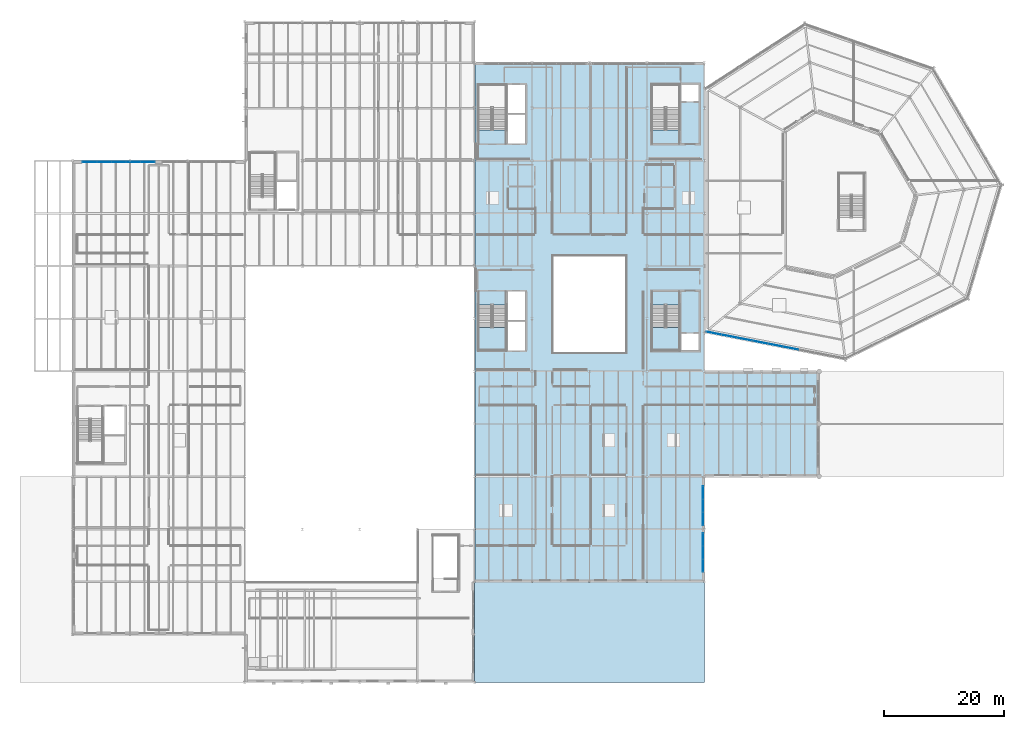
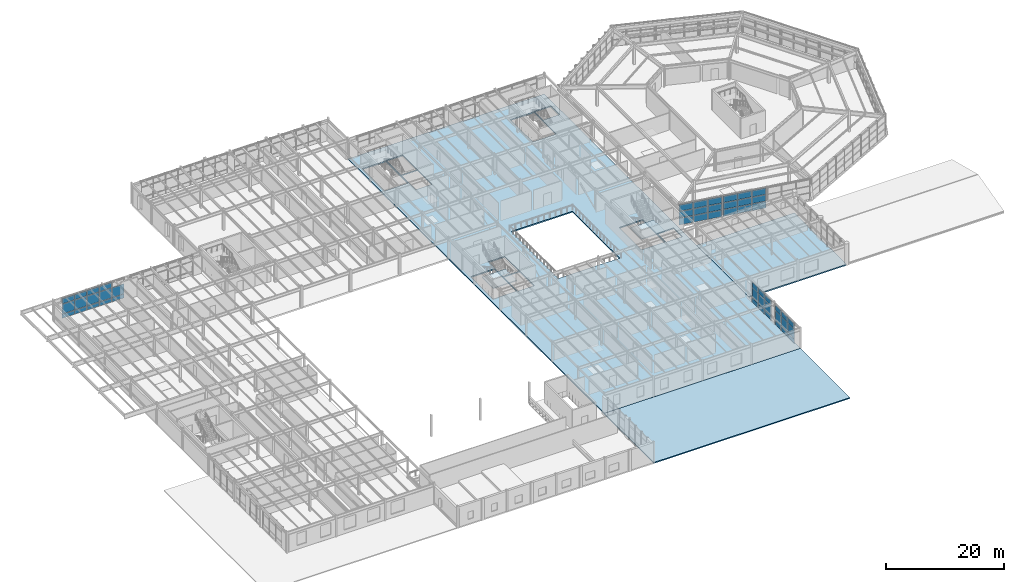
# One storey, part 47 of 77: 50 plates, 5 slabs, 7 elements without a shape of their own.
"""IFC4 building model written with IfcOpenShell, lengths in metres."""

from ifc_helpers import new_model, si_unit, direction, frame, origin, origin_2d, place, context, subcontext, project, spatial, polyline, rectangle, outline, extrude, material, layer, layer_set, type_object, element, aggregate, save


model = new_model("IFC4")

# Units and contexts
model_context = context("Model", 3, precision=1e-05, world=origin(), true_north=direction((0.0, 1.0)))
body_context = subcontext(model_context, "Body", "Model", "MODEL_VIEW")
ifc_project = project(units=[si_unit("LENGTHUNIT", "METRE"), si_unit("AREAUNIT", "SQUARE_METRE"), si_unit("VOLUMEUNIT", "CUBIC_METRE"), si_unit("PLANEANGLEUNIT", "RADIAN"), si_unit("MASSUNIT", "GRAM", prefix="KILO")], contexts=[model_context])

# Site, building, storey
site_placement = place(None, origin())
site = spatial("IfcSite", under=ifc_project, at=site_placement, CompositionType="ELEMENT")
building_placement = place(site_placement, origin())
building = spatial("IfcBuilding", under=site, at=building_placement, Name="Sarnbrook Museum", CompositionType="ELEMENT")
storey_placement = place(building_placement, frame((0.0, 0.0, 5.60009765625)))
storey = spatial("IfcBuildingStorey", under=building, at=storey_placement, Name="L01", CompositionType="ELEMENT", Elevation=5.60009765625)

# Curtain wall, plates
ifc_material_1 = material(Name="Thermally Broken Anodised Aluminium 6063-T6", Category="aluminium")
curtain_wall_type_1 = type_object("IfcCurtainWallType", Name="CurtainWall_CrystalFacet", PredefinedType="NOTDEFINED", material=ifc_material_1)
curtain_wall_1_placement = place(storey_placement, origin())
curtain_wall_1 = element("IfcCurtainWall", 1, at=curtain_wall_1_placement, inside=storey, type_object=curtain_wall_type_1, Name="Crystal Hall Facet Curtain Wall L01-F1.1", PredefinedType="NOTDEFINED")
ifc_material_2 = material(Name="Double-Glazed Low-Iron Laminated Safety Glass", Category="glass")
ifc_layer_1 = layer(ifc_material_2, 0.031982421875)
ifc_layer_set_1 = layer_set([ifc_layer_1], Name="Double-Glazed Low-Iron Laminated Safety Glass")
plate_type_1 = type_object("IfcPlateType", Name="CW_GlazedPanel_32", PredefinedType="CURTAIN_PANEL", material=ifc_layer_set_1)
plate_1_placement = place(storey_placement, frame((120.826416015625, 63.175537109375, 2.14990234375), z_axis=(-0.19131739595, -0.981528223744, 0.0), x_axis=(0.981528223744, -0.19131739595, 0.0)))
plate_1 = element("IfcPlate", 2, at=plate_1_placement, type_object=plate_type_1, Name="Crystal Hall Facet Curtain Wall L01-F1.1 Glazed Panel 1-2", PredefinedType="CURTAIN_PANEL", context=body_context, shape_type="SweptSolid", body=[
    extrude(rectangle(XDim=2.507080078125, YDim=1.330078125, at=origin_2d()), origin(), (0.0, 0.0, 1.0), 0.031982421875),
])
plate_2_placement = place(storey_placement, frame((120.826416015625, 63.175537109375, 3.544921875), z_axis=(-0.19131739595, -0.981528223744, 0.0), x_axis=(0.981528223744, -0.19131739595, 0.0)))
plate_2 = element("IfcPlate", 3, at=plate_2_placement, type_object=plate_type_1, Name="Crystal Hall Facet Curtain Wall L01-F1.1 Glazed Panel 1-3", PredefinedType="CURTAIN_PANEL", context=body_context, shape_type="SweptSolid", body=[
    extrude(rectangle(XDim=2.507080078125, YDim=1.320068359375, at=origin_2d()), origin(), (0.0, 0.0, 1.0), 0.031982421875),
])
plate_3_placement = place(storey_placement, frame((123.361083984375, 62.681396484375, 2.14990234375), z_axis=(-0.19131739595, -0.981528223744, 0.0), x_axis=(0.981528223744, -0.19131739595, 0.0)))
plate_3 = element("IfcPlate", 4, at=plate_3_placement, type_object=plate_type_1, Name="Crystal Hall Facet Curtain Wall L01-F1.1 Glazed Panel 2-2", PredefinedType="CURTAIN_PANEL", context=body_context, shape_type="SweptSolid", body=[
    extrude(rectangle(XDim=2.507080078125, YDim=1.330078125, at=origin_2d()), origin(), (0.0, 0.0, 1.0), 0.031982421875),
])
plate_4_placement = place(storey_placement, frame((123.361083984375, 62.681396484375, 3.544921875), z_axis=(-0.19131739595, -0.981528223744, 0.0), x_axis=(0.981528223744, -0.19131739595, 0.0)))
plate_4 = element("IfcPlate", 5, at=plate_4_placement, type_object=plate_type_1, Name="Crystal Hall Facet Curtain Wall L01-F1.1 Glazed Panel 2-3", PredefinedType="CURTAIN_PANEL", context=body_context, shape_type="SweptSolid", body=[
    extrude(rectangle(XDim=2.507080078125, YDim=1.320068359375, at=origin_2d()), origin(), (0.0, 0.0, 1.0), 0.031982421875),
])
plate_5_placement = place(storey_placement, frame((125.8955078125, 62.1875, 2.14990234375), z_axis=(-0.19131739595, -0.981528223744, 0.0), x_axis=(0.981528223744, -0.19131739595, 0.0)))
plate_5 = element("IfcPlate", 6, at=plate_5_placement, type_object=plate_type_1, Name="Crystal Hall Facet Curtain Wall L01-F1.1 Glazed Panel 3-2", PredefinedType="CURTAIN_PANEL", context=body_context, shape_type="SweptSolid", body=[
    extrude(rectangle(XDim=2.507080078125, YDim=1.330078125, at=origin_2d()), origin(), (0.0, 0.0, 1.0), 0.031982421875),
])
plate_6_placement = place(storey_placement, frame((125.8955078125, 62.1875, 3.544921875), z_axis=(-0.19131739595, -0.981528223744, 0.0), x_axis=(0.981528223744, -0.19131739595, 0.0)))
plate_6 = element("IfcPlate", 7, at=plate_6_placement, type_object=plate_type_1, Name="Crystal Hall Facet Curtain Wall L01-F1.1 Glazed Panel 3-3", PredefinedType="CURTAIN_PANEL", context=body_context, shape_type="SweptSolid", body=[
    extrude(rectangle(XDim=2.507080078125, YDim=1.320068359375, at=origin_2d()), origin(), (0.0, 0.0, 1.0), 0.031982421875),
])

curtain_wall_2_placement = place(storey_placement, origin())
curtain_wall_2 = element("IfcCurtainWall", 8, at=curtain_wall_2_placement, inside=storey, type_object=curtain_wall_type_1, Name="Crystal Hall Facet Curtain Wall L01-F1.2", PredefinedType="NOTDEFINED")
plate_7_placement = place(storey_placement, frame((128.587158203125, 61.662841796875, 2.14990234375), z_axis=(-0.19131739595, -0.981528223744, 0.0), x_axis=(0.981528223744, -0.19131739595, 0.0)))
plate_7 = element("IfcPlate", 9, at=plate_7_placement, type_object=plate_type_1, Name="Crystal Hall Facet Curtain Wall L01-F1.2 Glazed Panel 1-2", PredefinedType="CURTAIN_PANEL", context=body_context, shape_type="SweptSolid", body=[
    extrude(rectangle(XDim=2.507080078125, YDim=1.330078125, at=origin_2d()), origin(), (0.0, 0.0, 1.0), 0.031982421875),
])
plate_8_placement = place(storey_placement, frame((128.587158203125, 61.662841796875, 3.544921875), z_axis=(-0.19131739595, -0.981528223744, 0.0), x_axis=(0.981528223744, -0.19131739595, 0.0)))
plate_8 = element("IfcPlate", 10, at=plate_8_placement, type_object=plate_type_1, Name="Crystal Hall Facet Curtain Wall L01-F1.2 Glazed Panel 1-3", PredefinedType="CURTAIN_PANEL", context=body_context, shape_type="SweptSolid", body=[
    extrude(rectangle(XDim=2.507080078125, YDim=1.320068359375, at=origin_2d()), origin(), (0.0, 0.0, 1.0), 0.031982421875),
])
plate_9_placement = place(storey_placement, frame((131.12158203125, 61.168701171875, 2.14990234375), z_axis=(-0.19131739595, -0.981528223744, 0.0), x_axis=(0.981528223744, -0.19131739595, 0.0)))
plate_9 = element("IfcPlate", 11, at=plate_9_placement, type_object=plate_type_1, Name="Crystal Hall Facet Curtain Wall L01-F1.2 Glazed Panel 2-2", PredefinedType="CURTAIN_PANEL", context=body_context, shape_type="SweptSolid", body=[
    extrude(rectangle(XDim=2.507080078125, YDim=1.330078125, at=origin_2d()), origin(), (0.0, 0.0, 1.0), 0.031982421875),
])
plate_10_placement = place(storey_placement, frame((131.12158203125, 61.168701171875, 3.544921875), z_axis=(-0.19131739595, -0.981528223744, 0.0), x_axis=(0.981528223744, -0.19131739595, 0.0)))
plate_10 = element("IfcPlate", 12, at=plate_10_placement, type_object=plate_type_1, Name="Crystal Hall Facet Curtain Wall L01-F1.2 Glazed Panel 2-3", PredefinedType="CURTAIN_PANEL", context=body_context, shape_type="SweptSolid", body=[
    extrude(rectangle(XDim=2.507080078125, YDim=1.320068359375, at=origin_2d()), origin(), (0.0, 0.0, 1.0), 0.031982421875),
])
plate_11_placement = place(storey_placement, frame((133.656005859375, 60.6748046875, 2.14990234375), z_axis=(-0.19131739595, -0.981528223744, 0.0), x_axis=(0.981528223744, -0.19131739595, 0.0)))
plate_11 = element("IfcPlate", 13, at=plate_11_placement, type_object=plate_type_1, Name="Crystal Hall Facet Curtain Wall L01-F1.2 Glazed Panel 3-2", PredefinedType="CURTAIN_PANEL", context=body_context, shape_type="SweptSolid", body=[
    extrude(rectangle(XDim=2.507080078125, YDim=1.330078125, at=origin_2d()), origin(), (0.0, 0.0, 1.0), 0.031982421875),
])
plate_12_placement = place(storey_placement, frame((133.656005859375, 60.6748046875, 3.544921875), z_axis=(-0.19131739595, -0.981528223744, 0.0), x_axis=(0.981528223744, -0.19131739595, 0.0)))
plate_12 = element("IfcPlate", 14, at=plate_12_placement, type_object=plate_type_1, Name="Crystal Hall Facet Curtain Wall L01-F1.2 Glazed Panel 3-3", PredefinedType="CURTAIN_PANEL", context=body_context, shape_type="SweptSolid", body=[
    extrude(rectangle(XDim=2.507080078125, YDim=1.320068359375, at=origin_2d()), origin(), (0.0, 0.0, 1.0), 0.031982421875),
])

curtain_wall_type_2 = type_object("IfcCurtainWallType", Name="CurtainWall_GalleryRibbon", PredefinedType="NOTDEFINED", material=ifc_material_1)
curtain_wall_3_placement = place(storey_placement, origin())
curtain_wall_3 = element("IfcCurtainWall", 15, at=curtain_wall_3_placement, inside=storey, type_object=curtain_wall_type_2, Name="Gallery Ribbon Curtain Wall L01-2.1", PredefinedType="NOTDEFINED")
plate_13_placement = place(storey_placement, frame((118.98193359375, 24.313232421875, 1.949951171875), z_axis=(1.0, 0.0, 0.0), x_axis=(0.0, 1.0, 0.0)))
plate_13 = element("IfcPlate", 16, at=plate_13_placement, type_object=plate_type_1, Name="Gallery Ribbon Curtain Wall L01-2.1 Glazed Panel 1-2", PredefinedType="CURTAIN_PANEL", context=body_context, shape_type="SweptSolid", body=[
    extrude(rectangle(XDim=2.11181640625, YDim=2.030029296875, at=origin_2d()), origin(), (0.0, 0.0, 1.0), 0.031982421875),
])
plate_14_placement = place(storey_placement, frame((118.98193359375, 24.313232421875, 3.579833984375), z_axis=(1.0, 0.0, 0.0), x_axis=(0.0, 1.0, 0.0)))
plate_14 = element("IfcPlate", 17, at=plate_14_placement, type_object=plate_type_1, Name="Gallery Ribbon Curtain Wall L01-2.1 Glazed Panel 1-3", PredefinedType="CURTAIN_PANEL", context=body_context, shape_type="SweptSolid", body=[
    extrude(rectangle(XDim=2.11181640625, YDim=1.090087890625, at=origin_2d()), origin(), (0.0, 0.0, 1.0), 0.031982421875),
])
plate_15_placement = place(storey_placement, frame((118.98193359375, 26.5, 1.949951171875), z_axis=(1.0, 0.0, 0.0), x_axis=(0.0, 1.0, 0.0)))
plate_15 = element("IfcPlate", 18, at=plate_15_placement, type_object=plate_type_1, Name="Gallery Ribbon Curtain Wall L01-2.1 Glazed Panel 2-2", PredefinedType="CURTAIN_PANEL", context=body_context, shape_type="SweptSolid", body=[
    extrude(rectangle(XDim=2.11181640625, YDim=2.030029296875, at=origin_2d()), origin(), (0.0, 0.0, 1.0), 0.031982421875),
])
plate_16_placement = place(storey_placement, frame((118.98193359375, 26.5, 3.579833984375), z_axis=(1.0, 0.0, 0.0), x_axis=(0.0, 1.0, 0.0)))
plate_16 = element("IfcPlate", 19, at=plate_16_placement, type_object=plate_type_1, Name="Gallery Ribbon Curtain Wall L01-2.1 Glazed Panel 2-3", PredefinedType="CURTAIN_PANEL", context=body_context, shape_type="SweptSolid", body=[
    extrude(rectangle(XDim=2.11181640625, YDim=1.090087890625, at=origin_2d()), origin(), (0.0, 0.0, 1.0), 0.031982421875),
])
plate_17_placement = place(storey_placement, frame((118.98193359375, 28.686767578125, 1.949951171875), z_axis=(1.0, 0.0, 0.0), x_axis=(0.0, 1.0, 0.0)))
plate_17 = element("IfcPlate", 20, at=plate_17_placement, type_object=plate_type_1, Name="Gallery Ribbon Curtain Wall L01-2.1 Glazed Panel 3-2", PredefinedType="CURTAIN_PANEL", context=body_context, shape_type="SweptSolid", body=[
    extrude(rectangle(XDim=2.11181640625, YDim=2.030029296875, at=origin_2d()), origin(), (0.0, 0.0, 1.0), 0.031982421875),
])
plate_18_placement = place(storey_placement, frame((118.98193359375, 28.686767578125, 3.579833984375), z_axis=(1.0, 0.0, 0.0), x_axis=(0.0, 1.0, 0.0)))
plate_18 = element("IfcPlate", 21, at=plate_18_placement, type_object=plate_type_1, Name="Gallery Ribbon Curtain Wall L01-2.1 Glazed Panel 3-3", PredefinedType="CURTAIN_PANEL", context=body_context, shape_type="SweptSolid", body=[
    extrude(rectangle(XDim=2.11181640625, YDim=1.090087890625, at=origin_2d()), origin(), (0.0, 0.0, 1.0), 0.031982421875),
])

curtain_wall_4_placement = place(storey_placement, origin())
curtain_wall_4 = element("IfcCurtainWall", 22, at=curtain_wall_4_placement, inside=storey, type_object=curtain_wall_type_2, Name="Gallery Ribbon Curtain Wall L01-2.2", PredefinedType="NOTDEFINED")
plate_19_placement = place(storey_placement, frame((118.98193359375, 32.11328125, 1.949951171875), z_axis=(1.0, 0.0, 0.0), x_axis=(0.0, 1.0, 0.0)))
plate_19 = element("IfcPlate", 23, at=plate_19_placement, type_object=plate_type_1, Name="Gallery Ribbon Curtain Wall L01-2.2 Glazed Panel 1-2", PredefinedType="CURTAIN_PANEL", context=body_context, shape_type="SweptSolid", body=[
    extrude(rectangle(XDim=2.11181640625, YDim=2.030029296875, at=origin_2d()), origin(), (0.0, 0.0, 1.0), 0.031982421875),
])
plate_20_placement = place(storey_placement, frame((118.98193359375, 32.11328125, 3.579833984375), z_axis=(1.0, 0.0, 0.0), x_axis=(0.0, 1.0, 0.0)))
plate_20 = element("IfcPlate", 24, at=plate_20_placement, type_object=plate_type_1, Name="Gallery Ribbon Curtain Wall L01-2.2 Glazed Panel 1-3", PredefinedType="CURTAIN_PANEL", context=body_context, shape_type="SweptSolid", body=[
    extrude(rectangle(XDim=2.11181640625, YDim=1.090087890625, at=origin_2d()), origin(), (0.0, 0.0, 1.0), 0.031982421875),
])
plate_21_placement = place(storey_placement, frame((118.98193359375, 34.300048828125, 1.949951171875), z_axis=(1.0, 0.0, 0.0), x_axis=(0.0, 1.0, 0.0)))
plate_21 = element("IfcPlate", 25, at=plate_21_placement, type_object=plate_type_1, Name="Gallery Ribbon Curtain Wall L01-2.2 Glazed Panel 2-2", PredefinedType="CURTAIN_PANEL", context=body_context, shape_type="SweptSolid", body=[
    extrude(rectangle(XDim=2.11181640625, YDim=2.030029296875, at=origin_2d()), origin(), (0.0, 0.0, 1.0), 0.031982421875),
])
plate_22_placement = place(storey_placement, frame((118.98193359375, 34.300048828125, 3.579833984375), z_axis=(1.0, 0.0, 0.0), x_axis=(0.0, 1.0, 0.0)))
plate_22 = element("IfcPlate", 26, at=plate_22_placement, type_object=plate_type_1, Name="Gallery Ribbon Curtain Wall L01-2.2 Glazed Panel 2-3", PredefinedType="CURTAIN_PANEL", context=body_context, shape_type="SweptSolid", body=[
    extrude(rectangle(XDim=2.11181640625, YDim=1.090087890625, at=origin_2d()), origin(), (0.0, 0.0, 1.0), 0.031982421875),
])
plate_23_placement = place(storey_placement, frame((118.98193359375, 36.48681640625, 1.949951171875), z_axis=(1.0, 0.0, 0.0), x_axis=(0.0, 1.0, 0.0)))
plate_23 = element("IfcPlate", 27, at=plate_23_placement, type_object=plate_type_1, Name="Gallery Ribbon Curtain Wall L01-2.2 Glazed Panel 3-2", PredefinedType="CURTAIN_PANEL", context=body_context, shape_type="SweptSolid", body=[
    extrude(rectangle(XDim=2.11181640625, YDim=2.030029296875, at=origin_2d()), origin(), (0.0, 0.0, 1.0), 0.031982421875),
])
plate_24_placement = place(storey_placement, frame((118.98193359375, 36.48681640625, 3.579833984375), z_axis=(1.0, 0.0, 0.0), x_axis=(0.0, 1.0, 0.0)))
plate_24 = element("IfcPlate", 28, at=plate_24_placement, type_object=plate_type_1, Name="Gallery Ribbon Curtain Wall L01-2.2 Glazed Panel 3-3", PredefinedType="CURTAIN_PANEL", context=body_context, shape_type="SweptSolid", body=[
    extrude(rectangle(XDim=2.11181640625, YDim=1.090087890625, at=origin_2d()), origin(), (0.0, 0.0, 1.0), 0.031982421875),
])

curtain_wall_5_placement = place(storey_placement, origin())
curtain_wall_5 = element("IfcCurtainWall", 29, at=curtain_wall_5_placement, inside=storey, type_object=curtain_wall_type_2, Name="Gallery Ribbon Curtain Wall L01-10.2", PredefinedType="NOTDEFINED")
plate_25_placement = place(storey_placement, frame((26.1640625, 91.7822265625, 1.949951171875), z_axis=(0.0, 1.0, 0.0), x_axis=(-1.0, 0.0, 0.0)))
plate_25 = element("IfcPlate", 30, at=plate_25_placement, type_object=plate_type_1, Name="Gallery Ribbon Curtain Wall L01-10.2 Glazed Panel 1-2", PredefinedType="CURTAIN_PANEL", context=body_context, shape_type="SweptSolid", body=[
    extrude(rectangle(XDim=2.35693359375, YDim=2.030029296875, at=origin_2d()), origin(), (0.0, 0.0, 1.0), 0.031982421875),
])
plate_26_placement = place(storey_placement, frame((23.73193359375, 91.7822265625, 1.949951171875), z_axis=(0.0, 1.0, 0.0), x_axis=(-1.0, 0.0, 0.0)))
plate_26 = element("IfcPlate", 31, at=plate_26_placement, type_object=plate_type_1, Name="Gallery Ribbon Curtain Wall L01-10.2 Glazed Panel 2-2", PredefinedType="CURTAIN_PANEL", context=body_context, shape_type="SweptSolid", body=[
    extrude(rectangle(XDim=2.35693359375, YDim=2.030029296875, at=origin_2d()), origin(), (0.0, 0.0, 1.0), 0.031982421875),
])
plate_27_placement = place(storey_placement, frame((23.73193359375, 91.7822265625, 3.579833984375), z_axis=(0.0, 1.0, 0.0), x_axis=(-1.0, 0.0, 0.0)))
plate_27 = element("IfcPlate", 32, at=plate_27_placement, type_object=plate_type_1, Name="Gallery Ribbon Curtain Wall L01-10.2 Glazed Panel 2-3", PredefinedType="CURTAIN_PANEL", context=body_context, shape_type="SweptSolid", body=[
    extrude(rectangle(XDim=2.35693359375, YDim=1.090087890625, at=origin_2d()), origin(), (0.0, 0.0, 1.0), 0.031982421875),
])
plate_28_placement = place(storey_placement, frame((21.300048828125, 91.7822265625, 1.949951171875), z_axis=(0.0, 1.0, 0.0), x_axis=(-1.0, 0.0, 0.0)))
plate_28 = element("IfcPlate", 33, at=plate_28_placement, type_object=plate_type_1, Name="Gallery Ribbon Curtain Wall L01-10.2 Glazed Panel 3-2", PredefinedType="CURTAIN_PANEL", context=body_context, shape_type="SweptSolid", body=[
    extrude(rectangle(XDim=2.35693359375, YDim=2.030029296875, at=origin_2d()), origin(), (0.0, 0.0, 1.0), 0.031982421875),
])
plate_29_placement = place(storey_placement, frame((21.300048828125, 91.7822265625, 3.579833984375), z_axis=(0.0, 1.0, 0.0), x_axis=(-1.0, 0.0, 0.0)))
plate_29 = element("IfcPlate", 34, at=plate_29_placement, type_object=plate_type_1, Name="Gallery Ribbon Curtain Wall L01-10.2 Glazed Panel 3-3", PredefinedType="CURTAIN_PANEL", context=body_context, shape_type="SweptSolid", body=[
    extrude(rectangle(XDim=2.35693359375, YDim=1.090087890625, at=origin_2d()), origin(), (0.0, 0.0, 1.0), 0.031982421875),
])
plate_30_placement = place(storey_placement, frame((18.867919921875, 91.7822265625, 1.949951171875), z_axis=(0.0, 1.0, 0.0), x_axis=(-1.0, 0.0, 0.0)))
plate_30 = element("IfcPlate", 35, at=plate_30_placement, type_object=plate_type_1, Name="Gallery Ribbon Curtain Wall L01-10.2 Glazed Panel 4-2", PredefinedType="CURTAIN_PANEL", context=body_context, shape_type="SweptSolid", body=[
    extrude(rectangle(XDim=2.35693359375, YDim=2.030029296875, at=origin_2d()), origin(), (0.0, 0.0, 1.0), 0.031982421875),
])
plate_31_placement = place(storey_placement, frame((18.867919921875, 91.7822265625, 3.579833984375), z_axis=(0.0, 1.0, 0.0), x_axis=(-1.0, 0.0, 0.0)))
plate_31 = element("IfcPlate", 36, at=plate_31_placement, type_object=plate_type_1, Name="Gallery Ribbon Curtain Wall L01-10.2 Glazed Panel 4-3", PredefinedType="CURTAIN_PANEL", context=body_context, shape_type="SweptSolid", body=[
    extrude(rectangle(XDim=2.35693359375, YDim=1.090087890625, at=origin_2d()), origin(), (0.0, 0.0, 1.0), 0.031982421875),
])
plate_32_placement = place(storey_placement, frame((16.43603515625, 91.7822265625, 1.949951171875), z_axis=(0.0, 1.0, 0.0), x_axis=(-1.0, 0.0, 0.0)))
plate_32 = element("IfcPlate", 37, at=plate_32_placement, type_object=plate_type_1, Name="Gallery Ribbon Curtain Wall L01-10.2 Glazed Panel 5-2", PredefinedType="CURTAIN_PANEL", context=body_context, shape_type="SweptSolid", body=[
    extrude(rectangle(XDim=2.35693359375, YDim=2.030029296875, at=origin_2d()), origin(), (0.0, 0.0, 1.0), 0.031982421875),
])
plate_33_placement = place(storey_placement, frame((16.43603515625, 91.7822265625, 3.579833984375), z_axis=(0.0, 1.0, 0.0), x_axis=(-1.0, 0.0, 0.0)))
plate_33 = element("IfcPlate", 38, at=plate_33_placement, type_object=plate_type_1, Name="Gallery Ribbon Curtain Wall L01-10.2 Glazed Panel 5-3", PredefinedType="CURTAIN_PANEL", context=body_context, shape_type="SweptSolid", body=[
    extrude(rectangle(XDim=2.35693359375, YDim=1.090087890625, at=origin_2d()), origin(), (0.0, 0.0, 1.0), 0.031982421875),
])

# Plate
ifc_material_3 = material(Name="Patinated Architectural Bronze")
ifc_layer_2 = layer(ifc_material_3, 0.044921875)
ifc_layer_set_2 = layer_set([ifc_layer_2], Name="Patinated Architectural Bronze")
plate_type_2 = type_object("IfcPlateType", Name="CW_SpandrelPanel_45", PredefinedType="CURTAIN_PANEL", material=ifc_layer_set_2)
plate_34_placement = place(storey_placement, frame((120.82763671875, 63.181884765625, 0.724853515625), z_axis=(-0.19131739595, -0.981528223744, 0.0), x_axis=(0.981528223744, -0.19131739595, 0.0)))
plate_34 = element("IfcPlate", 39, at=plate_34_placement, type_object=plate_type_2, Name="Crystal Hall Facet Curtain Wall L01-F1.1 Spandrel Panel 1-1", PredefinedType="CURTAIN_PANEL", context=body_context, shape_type="SweptSolid", body=[
    extrude(rectangle(XDim=2.507080078125, YDim=1.3798828125, at=origin_2d()), origin(), (0.0, 0.0, 1.0), 0.044921875),
])

plate_35_placement = place(storey_placement, frame((123.3623046875, 62.687744140625, 0.724853515625), z_axis=(-0.19131739595, -0.981528223744, 0.0), x_axis=(0.981528223744, -0.19131739595, 0.0)))
plate_35 = element("IfcPlate", 40, at=plate_35_placement, type_object=plate_type_2, Name="Crystal Hall Facet Curtain Wall L01-F1.1 Spandrel Panel 2-1", PredefinedType="CURTAIN_PANEL", context=body_context, shape_type="SweptSolid", body=[
    extrude(rectangle(XDim=2.507080078125, YDim=1.3798828125, at=origin_2d()), origin(), (0.0, 0.0, 1.0), 0.044921875),
])

plate_36_placement = place(storey_placement, frame((125.896728515625, 62.19384765625, 0.724853515625), z_axis=(-0.19131739595, -0.981528223744, 0.0), x_axis=(0.981528223744, -0.19131739595, 0.0)))
plate_36 = element("IfcPlate", 41, at=plate_36_placement, type_object=plate_type_2, Name="Crystal Hall Facet Curtain Wall L01-F1.1 Spandrel Panel 3-1", PredefinedType="CURTAIN_PANEL", context=body_context, shape_type="SweptSolid", body=[
    extrude(rectangle(XDim=2.507080078125, YDim=1.3798828125, at=origin_2d()), origin(), (0.0, 0.0, 1.0), 0.044921875),
])

aggregate(curtain_wall_1, [plate_34, plate_1, plate_2, plate_35, plate_3, plate_4, plate_36, plate_5, plate_6])

plate_37_placement = place(storey_placement, frame((128.58837890625, 61.669189453125, 0.724853515625), z_axis=(-0.19131739595, -0.981528223744, 0.0), x_axis=(0.981528223744, -0.19131739595, 0.0)))
plate_37 = element("IfcPlate", 42, at=plate_37_placement, type_object=plate_type_2, Name="Crystal Hall Facet Curtain Wall L01-F1.2 Spandrel Panel 1-1", PredefinedType="CURTAIN_PANEL", context=body_context, shape_type="SweptSolid", body=[
    extrude(rectangle(XDim=2.507080078125, YDim=1.3798828125, at=origin_2d()), origin(), (0.0, 0.0, 1.0), 0.044921875),
])

plate_38_placement = place(storey_placement, frame((131.122802734375, 61.175048828125, 0.724853515625), z_axis=(-0.19131739595, -0.981528223744, 0.0), x_axis=(0.981528223744, -0.19131739595, 0.0)))
plate_38 = element("IfcPlate", 43, at=plate_38_placement, type_object=plate_type_2, Name="Crystal Hall Facet Curtain Wall L01-F1.2 Spandrel Panel 2-1", PredefinedType="CURTAIN_PANEL", context=body_context, shape_type="SweptSolid", body=[
    extrude(rectangle(XDim=2.507080078125, YDim=1.3798828125, at=origin_2d()), origin(), (0.0, 0.0, 1.0), 0.044921875),
])

plate_39_placement = place(storey_placement, frame((133.6572265625, 60.68115234375, 0.724853515625), z_axis=(-0.19131739595, -0.981528223744, 0.0), x_axis=(0.981528223744, -0.19131739595, 0.0)))
plate_39 = element("IfcPlate", 44, at=plate_39_placement, type_object=plate_type_2, Name="Crystal Hall Facet Curtain Wall L01-F1.2 Spandrel Panel 3-1", PredefinedType="CURTAIN_PANEL", context=body_context, shape_type="SweptSolid", body=[
    extrude(rectangle(XDim=2.507080078125, YDim=1.3798828125, at=origin_2d()), origin(), (0.0, 0.0, 1.0), 0.044921875),
])

aggregate(curtain_wall_2, [plate_37, plate_7, plate_8, plate_38, plate_9, plate_10, plate_39, plate_11, plate_12])

plate_40_placement = place(storey_placement, frame((118.9755859375, 24.313232421875, 0.449951171875), z_axis=(1.0, 0.0, 0.0), x_axis=(0.0, 1.0, 0.0)))
plate_40 = element("IfcPlate", 45, at=plate_40_placement, type_object=plate_type_2, Name="Gallery Ribbon Curtain Wall L01-2.1 Spandrel Panel 1-1", PredefinedType="CURTAIN_PANEL", context=body_context, shape_type="SweptSolid", body=[
    extrude(rectangle(XDim=2.11181640625, YDim=0.830078125, at=origin_2d()), origin(), (0.0, 0.0, 1.0), 0.044921875),
])

plate_41_placement = place(storey_placement, frame((118.9755859375, 26.5, 0.449951171875), z_axis=(1.0, 0.0, 0.0), x_axis=(0.0, 1.0, 0.0)))
plate_41 = element("IfcPlate", 46, at=plate_41_placement, type_object=plate_type_2, Name="Gallery Ribbon Curtain Wall L01-2.1 Spandrel Panel 2-1", PredefinedType="CURTAIN_PANEL", context=body_context, shape_type="SweptSolid", body=[
    extrude(rectangle(XDim=2.11181640625, YDim=0.830078125, at=origin_2d()), origin(), (0.0, 0.0, 1.0), 0.044921875),
])

plate_42_placement = place(storey_placement, frame((118.9755859375, 28.686767578125, 0.449951171875), z_axis=(1.0, 0.0, 0.0), x_axis=(0.0, 1.0, 0.0)))
plate_42 = element("IfcPlate", 47, at=plate_42_placement, type_object=plate_type_2, Name="Gallery Ribbon Curtain Wall L01-2.1 Spandrel Panel 3-1", PredefinedType="CURTAIN_PANEL", context=body_context, shape_type="SweptSolid", body=[
    extrude(rectangle(XDim=2.11181640625, YDim=0.830078125, at=origin_2d()), origin(), (0.0, 0.0, 1.0), 0.044921875),
])

aggregate(curtain_wall_3, [plate_40, plate_13, plate_14, plate_41, plate_15, plate_16, plate_42, plate_17, plate_18])

plate_43_placement = place(storey_placement, frame((118.9755859375, 32.11328125, 0.449951171875), z_axis=(1.0, 0.0, 0.0), x_axis=(0.0, 1.0, 0.0)))
plate_43 = element("IfcPlate", 48, at=plate_43_placement, type_object=plate_type_2, Name="Gallery Ribbon Curtain Wall L01-2.2 Spandrel Panel 1-1", PredefinedType="CURTAIN_PANEL", context=body_context, shape_type="SweptSolid", body=[
    extrude(rectangle(XDim=2.11181640625, YDim=0.830078125, at=origin_2d()), origin(), (0.0, 0.0, 1.0), 0.044921875),
])

plate_44_placement = place(storey_placement, frame((118.9755859375, 34.300048828125, 0.449951171875), z_axis=(1.0, 0.0, 0.0), x_axis=(0.0, 1.0, 0.0)))
plate_44 = element("IfcPlate", 49, at=plate_44_placement, type_object=plate_type_2, Name="Gallery Ribbon Curtain Wall L01-2.2 Spandrel Panel 2-1", PredefinedType="CURTAIN_PANEL", context=body_context, shape_type="SweptSolid", body=[
    extrude(rectangle(XDim=2.11181640625, YDim=0.830078125, at=origin_2d()), origin(), (0.0, 0.0, 1.0), 0.044921875),
])

plate_45_placement = place(storey_placement, frame((118.9755859375, 36.48681640625, 0.449951171875), z_axis=(1.0, 0.0, 0.0), x_axis=(0.0, 1.0, 0.0)))
plate_45 = element("IfcPlate", 50, at=plate_45_placement, type_object=plate_type_2, Name="Gallery Ribbon Curtain Wall L01-2.2 Spandrel Panel 3-1", PredefinedType="CURTAIN_PANEL", context=body_context, shape_type="SweptSolid", body=[
    extrude(rectangle(XDim=2.11181640625, YDim=0.830078125, at=origin_2d()), origin(), (0.0, 0.0, 1.0), 0.044921875),
])

aggregate(curtain_wall_4, [plate_43, plate_19, plate_20, plate_44, plate_21, plate_22, plate_45, plate_23, plate_24])

plate_46_placement = place(storey_placement, frame((26.1640625, 91.775634765625, 0.449951171875), z_axis=(0.0, 1.0, 0.0), x_axis=(-1.0, 0.0, 0.0)))
plate_46 = element("IfcPlate", 51, at=plate_46_placement, type_object=plate_type_2, Name="Gallery Ribbon Curtain Wall L01-10.2 Spandrel Panel 1-1", PredefinedType="CURTAIN_PANEL", context=body_context, shape_type="SweptSolid", body=[
    extrude(rectangle(XDim=2.35693359375, YDim=0.830078125, at=origin_2d()), origin(), (0.0, 0.0, 1.0), 0.044921875),
])

plate_47_placement = place(storey_placement, frame((23.73193359375, 91.775634765625, 0.449951171875), z_axis=(0.0, 1.0, 0.0), x_axis=(-1.0, 0.0, 0.0)))
plate_47 = element("IfcPlate", 52, at=plate_47_placement, type_object=plate_type_2, Name="Gallery Ribbon Curtain Wall L01-10.2 Spandrel Panel 2-1", PredefinedType="CURTAIN_PANEL", context=body_context, shape_type="SweptSolid", body=[
    extrude(rectangle(XDim=2.35693359375, YDim=0.830078125, at=origin_2d()), origin(), (0.0, 0.0, 1.0), 0.044921875),
])

plate_48_placement = place(storey_placement, frame((21.300048828125, 91.775634765625, 0.449951171875), z_axis=(0.0, 1.0, 0.0), x_axis=(-1.0, 0.0, 0.0)))
plate_48 = element("IfcPlate", 53, at=plate_48_placement, type_object=plate_type_2, Name="Gallery Ribbon Curtain Wall L01-10.2 Spandrel Panel 3-1", PredefinedType="CURTAIN_PANEL", context=body_context, shape_type="SweptSolid", body=[
    extrude(rectangle(XDim=2.35693359375, YDim=0.830078125, at=origin_2d()), origin(), (0.0, 0.0, 1.0), 0.044921875),
])

plate_49_placement = place(storey_placement, frame((18.867919921875, 91.775634765625, 0.449951171875), z_axis=(0.0, 1.0, 0.0), x_axis=(-1.0, 0.0, 0.0)))
plate_49 = element("IfcPlate", 54, at=plate_49_placement, type_object=plate_type_2, Name="Gallery Ribbon Curtain Wall L01-10.2 Spandrel Panel 4-1", PredefinedType="CURTAIN_PANEL", context=body_context, shape_type="SweptSolid", body=[
    extrude(rectangle(XDim=2.35693359375, YDim=0.830078125, at=origin_2d()), origin(), (0.0, 0.0, 1.0), 0.044921875),
])

plate_50_placement = place(storey_placement, frame((16.43603515625, 91.775634765625, 0.449951171875), z_axis=(0.0, 1.0, 0.0), x_axis=(-1.0, 0.0, 0.0)))
plate_50 = element("IfcPlate", 55, at=plate_50_placement, type_object=plate_type_2, Name="Gallery Ribbon Curtain Wall L01-10.2 Spandrel Panel 5-1", PredefinedType="CURTAIN_PANEL", context=body_context, shape_type="SweptSolid", body=[
    extrude(rectangle(XDim=2.35693359375, YDim=0.830078125, at=origin_2d()), origin(), (0.0, 0.0, 1.0), 0.044921875),
])

aggregate(curtain_wall_5, [plate_46, plate_25, plate_47, plate_26, plate_27, plate_48, plate_28, plate_29, plate_49, plate_30, plate_31, plate_50, plate_32, plate_33])

# Slabs
ifc_material_4 = material(Name="Concrete N40 (AS 3600, f'c = 40 MPa)", Category="concrete")
ifc_layer_3 = layer(ifc_material_4, 0.25)
ifc_layer_set_3 = layer_set([ifc_layer_3], Name="Concrete N40 (AS 3600, f'c = 40 MPa)")
slab_type_1 = type_object("IfcSlabType", Name="FloorSlab_250", PredefinedType="FLOOR", material=ifc_layer_set_3)
slab_1_placement = place(storey_placement, frame((0.0, 0.0, -0.25)))
element("IfcSlab", 56, at=slab_1_placement, inside=storey, type_object=slab_type_1, Name="V2 Structural Slab L01", PredefinedType="FLOOR", context=body_context, shape_type="SweptSolid", body=[
    extrude(outline(polyline([(80.8349609375, 21.60009765625), (80.8349609375, 108.39990234375), (119.199951171875, 108.39990234375), (119.199951171875, 104.204833984375), (119.196044921875, 104.2021484375), (119.196044921875, 63.19677734375), (119.199951171875, 63.19580078125), (119.199951171875, 21.60009765625), (80.8349609375, 21.60009765625)]), holes=[polyline([(86.199951171875, 65.179931640625), (89.39990234375, 65.179931640625), (89.39990234375, 60.199951171875), (86.199951171875, 60.199951171875), (86.199951171875, 65.179931640625)]), polyline([(81.43994140625, 67.879638671875), (86.06005859375, 67.879638671875), (86.06005859375, 60.300048828125), (81.43994140625, 60.300048828125), (81.43994140625, 67.879638671875)]), polyline([(86.199951171875, 70.199951171875), (89.39990234375, 70.199951171875), (89.39990234375, 65.219970703125), (86.199951171875, 65.219970703125), (86.199951171875, 70.199951171875)]), polyline([(89.39990234375, 99.780029296875), (89.39990234375, 94.800048828125), (86.199951171875, 94.800048828125), (86.199951171875, 99.780029296875), (89.39990234375, 99.780029296875)]), polyline([(86.06005859375, 104.699951171875), (86.06005859375, 97.120361328125), (81.43994140625, 97.120361328125), (81.43994140625, 104.699951171875), (86.06005859375, 104.699951171875)]), polyline([(89.39990234375, 104.800048828125), (89.39990234375, 99.820068359375), (86.199951171875, 99.820068359375), (86.199951171875, 104.800048828125), (89.39990234375, 104.800048828125)]), polyline([(118.39990234375, 63.179931640625), (118.39990234375, 60.199951171875), (115.199951171875, 60.199951171875), (115.199951171875, 63.179931640625), (118.39990234375, 63.179931640625)]), polyline([(115.06005859375, 67.879638671875), (115.06005859375, 60.300048828125), (110.43994140625, 60.300048828125), (110.43994140625, 67.879638671875), (115.06005859375, 67.879638671875)]), polyline([(94.0, 76.0), (106.0, 76.0), (106.0, 60.0), (94.0, 60.0), (94.0, 76.0)]), polyline([(115.06005859375, 104.699951171875), (115.06005859375, 97.120361328125), (110.43994140625, 97.120361328125), (110.43994140625, 104.699951171875), (115.06005859375, 104.699951171875)]), polyline([(118.39990234375, 101.820068359375), (115.199951171875, 101.820068359375), (115.199951171875, 104.800048828125), (118.39990234375, 104.800048828125), (118.39990234375, 101.820068359375)])]), origin(), (0.0, 0.0, 1.0), 0.25),
])
slab_2_placement = place(storey_placement, frame((0.0, 0.0, -0.25)))
element("IfcSlab", 57, at=slab_2_placement, inside=storey, type_object=slab_type_1, Name="V3E Structural Slab L01", PredefinedType="FLOOR", context=body_context, shape_type="SweptSolid", body=[
    extrude(outline(polyline([(138.364990234375, 56.800048828125), (138.364990234375, 39.199951171875), (119.2041015625, 39.199951171875), (119.2041015625, 56.800048828125), (138.364990234375, 56.800048828125)])), origin(), (0.0, 0.0, 1.0), 0.25),
])

# Stair, slab
stair_type = type_object("IfcStairType", Name="Stair_ST03", PredefinedType="HALF_TURN_STAIR", material=ifc_material_4)
stair_1_placement = place(storey_placement, origin())
stair_1 = element("IfcStair", 58, at=stair_1_placement, inside=storey, type_object=stair_type, Name="L01 Exit Stair ST1", PredefinedType="HALF_TURN_STAIR")
ifc_layer_4 = layer(ifc_material_4, 0.199951171875)
ifc_layer_set_4 = layer_set([ifc_layer_4], Name="Concrete N40 (AS 3600, f'c = 40 MPa)")
slab_type_2 = type_object("IfcSlabType", Name="Landing_200", PredefinedType="LANDING", material=ifc_layer_set_4)
slab_3_placement = place(storey_placement, frame((0.0, 0.0, 2.0498046875)))
slab_3 = element("IfcSlab", 59, at=slab_3_placement, type_object=slab_type_2, Name="ST1 landing 1", PredefinedType="LANDING", context=body_context, shape_type="SweptSolid", body=[
    extrude(outline(polyline([(110.43994140625, 64.110107421875), (110.43994140625, 60.300048828125), (115.06005859375, 60.300048828125), (115.06005859375, 64.110107421875), (110.43994140625, 64.110107421875)])), origin(), (0.0, 0.0, 1.0), 0.2001953125),
])
aggregate(stair_1, [slab_3])

stair_2_placement = place(storey_placement, origin())
stair_2 = element("IfcStair", 60, at=stair_2_placement, inside=storey, type_object=stair_type, Name="L01 Exit Stair ST3", PredefinedType="HALF_TURN_STAIR")
slab_4_placement = place(storey_placement, frame((0.0, 0.0, 2.0498046875)))
slab_4 = element("IfcSlab", 61, at=slab_4_placement, type_object=slab_type_2, Name="ST3 landing 1", PredefinedType="LANDING", context=body_context, shape_type="SweptSolid", body=[
    extrude(outline(polyline([(81.43994140625, 64.110107421875), (81.43994140625, 60.300048828125), (86.06005859375, 60.300048828125), (86.06005859375, 64.110107421875), (81.43994140625, 64.110107421875)])), origin(), (0.0, 0.0, 1.0), 0.2001953125),
])
aggregate(stair_2, [slab_4])

# Slab
ifc_layer_5 = layer(ifc_material_4, 0.2099609375)
ifc_layer_set_5 = layer_set([ifc_layer_5], Name="Concrete N40 (AS 3600, f'c = 40 MPa)")
slab_type_3 = type_object("IfcSlabType", Name="RoofSlab_Zinc210", PredefinedType="ROOF", material=ifc_layer_set_5)
slab_5_placement = place(storey_placement, frame((0.0, 0.0, -0.210205078125)))
element("IfcSlab", 62, at=slab_5_placement, inside=storey, type_object=slab_type_3, Name="Concourse Stepped South Roof Slab L01", PredefinedType="ROOF", context=body_context, shape_type="SweptSolid", body=[
    extrude(outline(polyline([(119.199951171875, 4.800048828125), (80.800048828125, 4.800048828125), (80.800048828125, 21.60009765625), (80.8310546875, 21.60009765625), (80.8310546875, 21.595947265625), (119.199951171875, 21.595947265625), (119.199951171875, 4.800048828125)])), origin(), (0.0, 0.0, 1.0), 0.210205078125),
])

save(model, "model.ifc")
